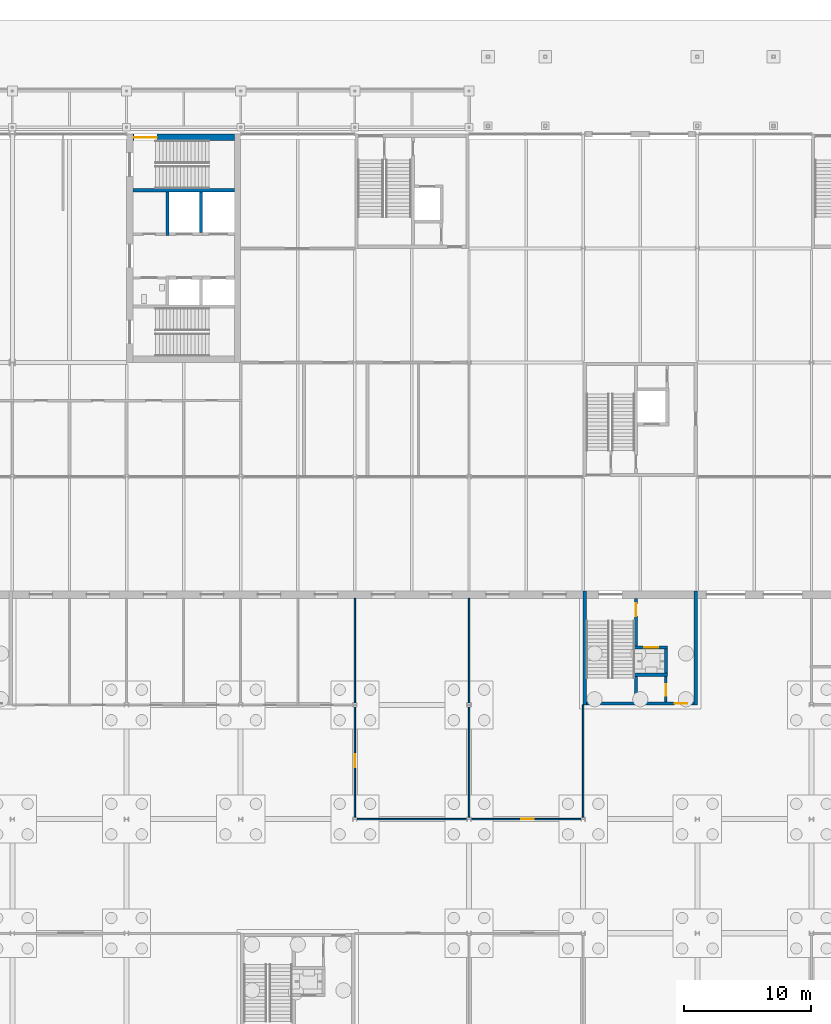
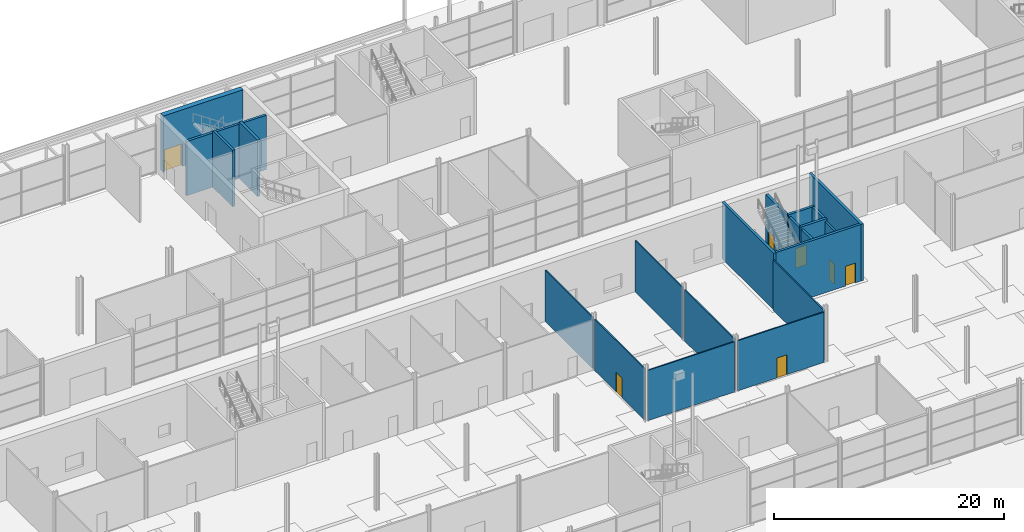
# One storey, part 69 of 97: 19 walls, 7 doors, 7 openings.
"""IFC4 building model written with IfcOpenShell, lengths in metres."""

from ifc_helpers import new_model, si_unit, direction, frame, frame_2d, origin, place, context, subcontext, project, spatial, rectangle, extrude, material, layer, layer_set, type_object, element, fill, save


model = new_model("IFC4")

# Units and contexts
model_context = context("Model", 3, precision=1e-05, world=origin(), true_north=direction((0.0, 1.0)))
body_context = subcontext(model_context, "Body", "Model", "MODEL_VIEW")
ifc_project = project(units=[si_unit("LENGTHUNIT", "METRE"), si_unit("AREAUNIT", "SQUARE_METRE"), si_unit("VOLUMEUNIT", "CUBIC_METRE"), si_unit("PLANEANGLEUNIT", "RADIAN"), si_unit("MASSUNIT", "GRAM", prefix="KILO")], contexts=[model_context])

# Site, building, storey
site_placement = place(None, origin())
site = spatial("IfcSite", under=ifc_project, at=site_placement, CompositionType="ELEMENT")
building_placement = place(site_placement, origin())
building = spatial("IfcBuilding", under=site, at=building_placement, Name="Corbel Yard City Hall", CompositionType="ELEMENT")
storey_placement = place(building_placement, origin())
storey = spatial("IfcBuildingStorey", under=building, at=storey_placement, Name="L00", CompositionType="ELEMENT", Elevation=0.0)

# Walls
ifc_material_1 = material(Name="Concrete N50 (50 MPa)", Category="concrete")
ifc_layer_1 = layer(ifc_material_1, 0.25)
ifc_layer_set_1 = layer_set([ifc_layer_1], Name="Concrete N50 (50 MPa)")
wall_type_1 = type_object("IfcWallType", Name="Core cell wall 250", PredefinedType="SHEAR", material=ifc_layer_set_1)
for number, where, z_axis, x_axis, name in (
    (1, (81.125, 72.0, 0.0), (0.0, 0.0, 1.0), (0.0, 1.0, 0.0), "Core PC-M7 west wall"),
    (2, (89.875, 72.0, 0.0), (0.0, 0.0, 1.0), (0.0, 1.0, 0.0), "Core PC-M7 east wall"),
):
    element("IfcWall", number, at=place(storey_placement, frame(where, z_axis=z_axis, x_axis=x_axis)), inside=storey, type_object=wall_type_1, Name=name, PredefinedType="SHEAR", context=body_context, shape_type="SweptSolid", body=[
        extrude(rectangle(XDim=9.0, YDim=0.25, at=frame_2d((4.5, 0.0))), origin(), (0.0, 0.0, 1.0), 6.0),
    ])

# Wall, opening, door
wall_1_placement = place(storey_placement, frame((81.25, 72.125, 0.0), z_axis=(0.0, 0.0, 1.0), x_axis=(1.0, 0.0, 0.0)))
wall_1 = element("IfcWall", 3, at=wall_1_placement, inside=storey, type_object=wall_type_1, Name="Core PC-M7 south wall", PredefinedType="SHEAR", context=body_context, shape_type="SweptSolid", body=[
    extrude(rectangle(XDim=8.5, YDim=0.25, at=frame_2d((4.25, 0.0))), origin(), (0.0, 0.0, 1.0), 6.0),
])
opening_1_placement = place(wall_1_placement, frame((6.949951171875, 0.0, 0.0)))
opening_1 = element("IfcOpeningElement", 4, at=opening_1_placement, cuts=wall_1, Name="Opening L00-147", PredefinedType="OPENING", context=body_context, shape_type="SweptSolid", body=[
    extrude(rectangle(XDim=1.0, YDim=2.10009765625, at=frame_2d((0.5, 1.050048828125))), frame((0.0, 0.135009765625, 0.0), z_axis=(0.0, -1.0, 0.0), x_axis=(1.0, 0.0, 0.0)), (0.0, 0.0, 1.0), 0.27001953125),
])
ifc_material_2 = material(Name="Steel Grade G250", Category="steel")
door_type_1 = type_object("IfcDoorType", Name="FS1", OperationType="SINGLE_SWING_LEFT", PredefinedType="DOOR", material=ifc_material_2)
door_1_placement = place(opening_1_placement, origin())
door_1 = element("IfcDoor", 5, at=door_1_placement, inside=storey, type_object=door_type_1, Name="Door Lift Lobby", OperationType="SINGLE_SWING_LEFT", OverallHeight=2.10009765625, OverallWidth=1.0, PredefinedType="DOOR", context=body_context, shape_type="SweptSolid", body=[
    extrude(rectangle(XDim=1.0, YDim=2.10009765625, at=frame_2d((0.5, 1.050048828125))), frame((0.0, 0.02490234375, 0.0), z_axis=(0.0, -1.0, 0.0), x_axis=(1.0, 0.0, 0.0)), (0.0, 0.0, 1.0), 0.050048828125),
])
fill(opening_1, door_1)

ifc_material_3 = material(Name="Concrete N40 (40 MPa)", Category="concrete")
ifc_layer_2 = layer(ifc_material_3, 0.25)
ifc_layer_set_2 = layer_set([ifc_layer_2], Name="Concrete N40 (40 MPa)")
wall_type_2 = type_object("IfcWallType", Name="IW2", PredefinedType="SOLIDWALL", material=ifc_layer_set_2)
wall_2_placement = place(storey_placement, frame((85.175048828125, 80.39990234375, 0.0), z_axis=(0.0, 0.0, 1.0), x_axis=(0.0, -1.0, 0.0)))
wall_2 = element("IfcWall", 6, at=wall_2_placement, inside=storey, type_object=wall_type_2, Name="Stair enclosure wall", PredefinedType="SOLIDWALL", context=body_context, shape_type="SweptSolid", body=[
    extrude(rectangle(XDim=8.14990234375, YDim=0.25, at=frame_2d((4.074951171875, 0.0))), origin(), (0.0, 0.0, 1.0), 5.75),
])
opening_2_placement = place(wall_2_placement, frame((0.39990234375, 0.0, 0.0)))
opening_2 = element("IfcOpeningElement", 7, at=opening_2_placement, cuts=wall_2, Name="Opening L00-146", PredefinedType="OPENING", context=body_context, shape_type="SweptSolid", body=[
    extrude(rectangle(XDim=1.0, YDim=2.10009765625, at=frame_2d((0.5, 1.050048828125))), frame((0.0, 0.135009765625, 0.0), z_axis=(0.0, -1.0, 0.0), x_axis=(1.0, 0.0, 0.0)), (0.0, 0.0, 1.0), 0.27001953125),
])
door_2_placement = place(opening_2_placement, frame((1.0, 0.0, 0.0), z_axis=(0.0, 0.0, 1.0), x_axis=(-1.0, 0.0, 0.0)))
door_2 = element("IfcDoor", 8, at=door_2_placement, inside=storey, type_object=door_type_1, Name="Door Exit Stair 14", OperationType="SINGLE_SWING_RIGHT", OverallHeight=2.10009765625, OverallWidth=1.0, PredefinedType="DOOR", context=body_context, shape_type="SweptSolid", body=[
    extrude(rectangle(XDim=1.0, YDim=2.10009765625, at=frame_2d((0.5, 1.050048828125))), frame((0.0, 0.02490234375, 0.0), z_axis=(0.0, -1.0, 0.0), x_axis=(1.0, 0.0, 0.0)), (0.0, 0.0, 1.0), 0.050048828125),
])
fill(opening_2, door_2)

# Wall
wall_3_placement = place(storey_placement, frame((85.050048828125, 74.375, -1.39990234375), z_axis=(0.0, 0.0, 1.0), x_axis=(1.0, 0.0, 0.0)))
element("IfcWall", 9, at=wall_3_placement, inside=storey, type_object=wall_type_2, Name="Lift LP14 shaft wall", PredefinedType="SOLIDWALL", context=body_context, shape_type="SweptSolid", body=[
    extrude(rectangle(XDim=2.599853515625, YDim=0.25, at=frame_2d((1.2998046875, 0.0))), origin(), (0.0, 0.0, 1.0), 7.39990234375),
])

# Wall, opening, door
wall_4_placement = place(storey_placement, frame((85.050048828125, 76.52490234375, -1.39990234375), z_axis=(0.0, 0.0, 1.0), x_axis=(1.0, 0.0, 0.0)))
wall_4 = element("IfcWall", 10, at=wall_4_placement, inside=storey, type_object=wall_type_2, Name="Lift LP14 shaft wall", PredefinedType="SOLIDWALL", context=body_context, shape_type="SweptSolid", body=[
    extrude(rectangle(XDim=2.599853515625, YDim=0.25, at=frame_2d((1.2998046875, 0.0))), origin(), (0.0, 0.0, 1.0), 7.39990234375),
])
opening_3_placement = place(wall_4_placement, frame((0.75, 0.0, 1.39990234375)))
opening_3 = element("IfcOpeningElement", 11, at=opening_3_placement, cuts=wall_4, Name="Opening L00-113", PredefinedType="OPENING", context=body_context, shape_type="SweptSolid", body=[
    extrude(rectangle(XDim=1.10009765625, YDim=2.10009765625, at=frame_2d((0.550048828125, 1.050048828125))), frame((0.0, 0.135009765625, 0.0), z_axis=(0.0, -1.0, 0.0), x_axis=(1.0, 0.0, 0.0)), (0.0, 0.0, 1.0), 0.27001953125),
])
ifc_material_4 = material(Name="Stainless steel Grade 316", Category="steel")
door_type_2 = type_object("IfcDoorType", Name="LD1", OperationType="DOUBLE_DOOR_SLIDING", PredefinedType="DOOR", material=ifc_material_4)
door_3_placement = place(opening_3_placement, origin())
door_3 = element("IfcDoor", 12, at=door_3_placement, inside=storey, type_object=door_type_2, Name="Lift LP14 landing door", OperationType="DOUBLE_DOOR_SLIDING", OverallHeight=2.10009765625, OverallWidth=1.10009765625, PredefinedType="DOOR", context=body_context, shape_type="SweptSolid", body=[
    extrude(rectangle(XDim=1.10009765625, YDim=2.10009765625, at=frame_2d((0.550048828125, 1.050048828125))), frame((0.0, 0.02490234375, 0.0), z_axis=(0.0, -1.0, 0.0), x_axis=(1.0, 0.0, 0.0)), (0.0, 0.0, 1.0), 0.050048828125),
])
fill(opening_3, door_3)

# Walls
wall_5_placement = place(storey_placement, frame((87.52490234375, 74.5, -1.39990234375), z_axis=(0.0, 0.0, 1.0), x_axis=(0.0, 1.0, 0.0)))
element("IfcWall", 13, at=wall_5_placement, inside=storey, type_object=wall_type_2, Name="Lift LP14 shaft wall", PredefinedType="SOLIDWALL", context=body_context, shape_type="SweptSolid", body=[
    extrude(rectangle(XDim=1.89990234375, YDim=0.25, at=frame_2d((0.949951171875, 0.0))), origin(), (0.0, 0.0, 1.0), 7.39990234375),
])
wall_6_placement = place(storey_placement, frame((45.5, 112.574951171875, 0.0), z_axis=(0.0, 0.0, 1.0), x_axis=(1.0, 0.0, 0.0)))
element("IfcWall", 14, at=wall_6_placement, inside=storey, type_object=wall_type_2, Name="Stair enclosure wall", PredefinedType="SOLIDWALL", context=body_context, shape_type="SweptSolid", body=[
    extrude(rectangle(XDim=8.0, YDim=0.25, at=frame_2d((4.0, 0.0))), origin(), (0.0, 0.0, 1.0), 5.75),
])
wall_7_placement = place(storey_placement, frame((48.22509765625, 109.0, 0.0), z_axis=(0.0, 0.0, 1.0), x_axis=(0.0, 1.0, 0.0)))
element("IfcWall", 15, at=wall_7_placement, inside=storey, type_object=wall_type_2, Name="Lift LF2 shaft wall", PredefinedType="SOLIDWALL", context=body_context, shape_type="SweptSolid", body=[
    extrude(rectangle(XDim=3.449951171875, YDim=0.25, at=frame_2d((1.72509765625, 0.0))), origin(), (0.0, 0.0, 1.0), 6.0),
])
wall_8_placement = place(storey_placement, frame((50.875, 109.25, 0.0), z_axis=(0.0, 0.0, 1.0), x_axis=(0.0, 1.0, 0.0)))
element("IfcWall", 16, at=wall_8_placement, inside=storey, type_object=wall_type_2, Name="Lift LF2 shaft wall", PredefinedType="SOLIDWALL", context=body_context, shape_type="SweptSolid", body=[
    extrude(rectangle(XDim=3.199951171875, YDim=0.25, at=frame_2d((1.60009765625, 0.0))), origin(), (0.0, 0.0, 1.0), 6.0),
])
ifc_material_5 = material(Name="Gypsum plasterboard", Category="gypsum")
ifc_layer_3 = layer(ifc_material_5, 0.028076171875)
ifc_material_6 = material(Name="Steel Grade G550 (550 MPa yield)", Category="steel")
ifc_layer_4 = layer(ifc_material_6, 0.06396484375)
ifc_layer_5 = layer(ifc_material_5, 0.028076171875)
ifc_layer_set_3 = layer_set([ifc_layer_3, ifc_layer_4, ifc_layer_5], Name="Steel Grade G550 (550 MPa yield)")
wall_type_3 = type_object("IfcWallType", Name="PT1", PredefinedType="PARTITIONING", material=ifc_layer_set_3)
wall_9_placement = place(storey_placement, frame((63.16357421875, 63.0, 0.0), z_axis=(0.0, 0.0, 1.0), x_axis=(1.0, 0.0, 0.0)))
element("IfcWall", 17, at=wall_9_placement, inside=storey, type_object=wall_type_3, Name="Partition", PredefinedType="PARTITIONING", context=body_context, shape_type="SweptSolid", body=[
    extrude(rectangle(XDim=8.6728515625, YDim=0.1201171875, at=frame_2d((4.33642578125, 0.0))), origin(), (0.0, 0.0, 1.0), 5.322021484375),
])

# Wall, opening, door
wall_10_placement = place(storey_placement, frame((72.16357421875, 63.0, 0.0), z_axis=(0.0, 0.0, 1.0), x_axis=(1.0, 0.0, 0.0)))
wall_10 = element("IfcWall", 18, at=wall_10_placement, inside=storey, type_object=wall_type_3, Name="Partition", PredefinedType="PARTITIONING", context=body_context, shape_type="SweptSolid", body=[
    extrude(rectangle(XDim=8.6728515625, YDim=0.1201171875, at=frame_2d((4.33642578125, 0.0))), origin(), (0.0, 0.0, 1.0), 5.322021484375),
])
opening_4_placement = place(wall_10_placement, frame((3.9365234375, 0.0, 0.0)))
opening_4 = element("IfcOpeningElement", 19, at=opening_4_placement, cuts=wall_10, Name="Opening L00-137", PredefinedType="OPENING", context=body_context, shape_type="SweptSolid", body=[
    extrude(rectangle(XDim=1.0, YDim=2.10009765625, at=frame_2d((0.5, 1.050048828125))), frame((0.0, 0.070068359375, 0.0), z_axis=(0.0, -1.0, 0.0), x_axis=(1.0, 0.0, 0.0)), (0.0, 0.0, 1.0), 0.14013671875),
])
ifc_material_7 = material(Name="Timber", Category="wood")
door_type_3 = type_object("IfcDoorType", Name="D1", OperationType="SINGLE_SWING_LEFT", PredefinedType="DOOR", material=ifc_material_7)
door_4_placement = place(opening_4_placement, origin())
door_4 = element("IfcDoor", 20, at=door_4_placement, inside=storey, type_object=door_type_3, Name="Door Records and Processing Office", OperationType="SINGLE_SWING_RIGHT", OverallHeight=2.10009765625, OverallWidth=1.0, PredefinedType="DOOR", context=body_context, shape_type="SweptSolid", body=[
    extrude(rectangle(XDim=1.0, YDim=2.10009765625, at=frame_2d((0.5, 1.050048828125))), frame((0.0, 0.02490234375, 0.0), z_axis=(0.0, -1.0, 0.0), x_axis=(1.0, 0.0, 0.0)), (0.0, 0.0, 1.0), 0.050048828125),
])
fill(opening_4, door_4)

wall_11_placement = place(storey_placement, frame((63.0, 63.16357421875, 0.0), z_axis=(0.0, 0.0, 1.0), x_axis=(0.0, 1.0, 0.0)))
wall_11 = element("IfcWall", 21, at=wall_11_placement, inside=storey, type_object=wall_type_3, Name="Partition", PredefinedType="PARTITIONING", context=body_context, shape_type="SweptSolid", body=[
    extrude(rectangle(XDim=8.6728515625, YDim=0.1201171875, at=frame_2d((4.33642578125, 0.0))), origin(), (0.0, 0.0, 1.0), 5.447021484375),
])
opening_5_placement = place(wall_11_placement, frame((3.9365234375, 0.0, 0.0)))
opening_5 = element("IfcOpeningElement", 22, at=opening_5_placement, cuts=wall_11, Name="Opening L00-136", PredefinedType="OPENING", context=body_context, shape_type="SweptSolid", body=[
    extrude(rectangle(XDim=1.0, YDim=2.10009765625, at=frame_2d((0.5, 1.050048828125))), frame((0.0, 0.070068359375, 0.0), z_axis=(0.0, -1.0, 0.0), x_axis=(1.0, 0.0, 0.0)), (0.0, 0.0, 1.0), 0.14013671875),
])
door_5_placement = place(opening_5_placement, frame((1.0, 0.0, 0.0), z_axis=(0.0, 0.0, 1.0), x_axis=(-1.0, 0.0, 0.0)))
door_5 = element("IfcDoor", 23, at=door_5_placement, inside=storey, type_object=door_type_3, Name="Door Customer Services Back Office", OperationType="SINGLE_SWING_RIGHT", OverallHeight=2.10009765625, OverallWidth=1.0, PredefinedType="DOOR", context=body_context, shape_type="SweptSolid", body=[
    extrude(rectangle(XDim=1.0, YDim=2.10009765625, at=frame_2d((0.5, 1.050048828125))), frame((0.0, 0.02490234375, 0.0), z_axis=(0.0, -1.0, 0.0), x_axis=(1.0, 0.0, 0.0)), (0.0, 0.0, 1.0), 0.050048828125),
])
fill(opening_5, door_5)

# Walls
wall_12_placement = place(storey_placement, frame((63.0, 72.16357421875, 0.0), z_axis=(0.0, 0.0, 1.0), x_axis=(0.0, 1.0, 0.0)))
element("IfcWall", 24, at=wall_12_placement, inside=storey, type_object=wall_type_3, Name="Partition", PredefinedType="PARTITIONING", context=body_context, shape_type="SweptSolid", body=[
    extrude(rectangle(XDim=8.236328125, YDim=0.1201171875, at=frame_2d((4.1181640625, 0.0))), origin(), (0.0, 0.0, 1.0), 5.447021484375),
])
wall_13_placement = place(storey_placement, frame((72.0, 63.16357421875, 0.0), z_axis=(0.0, 0.0, 1.0), x_axis=(0.0, 1.0, 0.0)))
element("IfcWall", 25, at=wall_13_placement, inside=storey, type_object=wall_type_3, Name="Partition", PredefinedType="PARTITIONING", context=body_context, shape_type="SweptSolid", body=[
    extrude(rectangle(XDim=8.6728515625, YDim=0.1201171875, at=frame_2d((4.33642578125, 0.0))), origin(), (0.0, 0.0, 1.0), 5.447021484375),
])
wall_14_placement = place(storey_placement, frame((72.0, 72.16357421875, 0.0), z_axis=(0.0, 0.0, 1.0), x_axis=(0.0, 1.0, 0.0)))
element("IfcWall", 26, at=wall_14_placement, inside=storey, type_object=wall_type_3, Name="Partition", PredefinedType="PARTITIONING", context=body_context, shape_type="SweptSolid", body=[
    extrude(rectangle(XDim=8.236328125, YDim=0.1201171875, at=frame_2d((4.1181640625, 0.0))), origin(), (0.0, 0.0, 1.0), 5.447021484375),
])
wall_15_placement = place(storey_placement, frame((81.0, 63.16357421875, 0.0), z_axis=(0.0, 0.0, 1.0), x_axis=(0.0, 1.0, 0.0)))
element("IfcWall", 27, at=wall_15_placement, inside=storey, type_object=wall_type_3, Name="Partition", PredefinedType="PARTITIONING", context=body_context, shape_type="SweptSolid", body=[
    extrude(rectangle(XDim=8.83642578125, YDim=0.1201171875, at=frame_2d((4.418212890625, 0.0))), origin(), (0.0, 0.0, 1.0), 5.322021484375),
])

# Wall, opening, door
ifc_material_8 = material(Name="Concrete block", Category="concrete")
ifc_layer_6 = layer(ifc_material_8, 0.18994140625)
ifc_layer_set_4 = layer_set([ifc_layer_6], Name="Concrete block")
wall_type_4 = type_object("IfcWallType", Name="PT4", PredefinedType="PARTITIONING", material=ifc_layer_set_4)
wall_16_placement = place(storey_placement, frame((87.52490234375, 72.25, 0.0), z_axis=(0.0, 0.0, 1.0), x_axis=(0.0, 1.0, 0.0)))
wall_16 = element("IfcWall", 28, at=wall_16_placement, inside=storey, type_object=wall_type_4, Name="Fire-resisting block wall", PredefinedType="PARTITIONING", context=body_context, shape_type="SweptSolid", body=[
    extrude(rectangle(XDim=2.0, YDim=0.18994140625, at=frame_2d((1.0, 0.0))), origin(), (0.0, 0.0, 1.0), 5.75),
])
opening_6_placement = place(wall_16_placement, frame((0.4775390625, 0.0, 0.0)))
opening_6 = element("IfcOpeningElement", 29, at=opening_6_placement, cuts=wall_16, Name="Opening L00-148", PredefinedType="OPENING", context=body_context, shape_type="SweptSolid", body=[
    extrude(rectangle(XDim=0.919921875, YDim=2.10009765625, at=frame_2d((0.4599609375, 1.050048828125))), frame((0.0, 0.10498046875, 0.0), z_axis=(0.0, -1.0, 0.0), x_axis=(1.0, 0.0, 0.0)), (0.0, 0.0, 1.0), 0.2099609375),
])
door_type_4 = type_object("IfcDoorType", Name="FS5", OperationType="SINGLE_SWING_RIGHT", PredefinedType="DOOR", material=ifc_material_2)
door_6_placement = place(opening_6_placement, origin())
door_6 = element("IfcDoor", 30, at=door_6_placement, inside=storey, type_object=door_type_4, Name="Door Service Riser", OperationType="SINGLE_SWING_LEFT", OverallHeight=2.10009765625, OverallWidth=0.919921875, PredefinedType="DOOR", context=body_context, shape_type="SweptSolid", body=[
    extrude(rectangle(XDim=0.919921875, YDim=2.10009765625, at=frame_2d((0.4599609375, 1.050048828125))), frame((0.0, 0.02490234375, 0.0), z_axis=(0.0, -1.0, 0.0), x_axis=(1.0, 0.0, 0.0)), (0.0, 0.0, 1.0), 0.050048828125),
])
fill(opening_6, door_6)

ifc_layer_7 = layer(ifc_material_1, 0.5)
ifc_layer_set_5 = layer_set([ifc_layer_7], Name="Concrete N50 (50 MPa)")
wall_type_5 = type_object("IfcWallType", Name="Trunk wall 500", PredefinedType="SHEAR", material=ifc_layer_set_5)
wall_17_placement = place(storey_placement, frame((45.5, 116.75, 0.0), z_axis=(0.0, 0.0, 1.0), x_axis=(1.0, 0.0, 0.0)))
wall_17 = element("IfcWall", 31, at=wall_17_placement, inside=storey, type_object=wall_type_5, Name="Trunk E north wall", PredefinedType="SHEAR", context=body_context, shape_type="SweptSolid", body=[
    extrude(rectangle(XDim=8.0, YDim=0.5, at=frame_2d((4.0, 0.0))), origin(), (0.0, 0.0, 1.0), 6.0),
])
opening_7_placement = place(wall_17_placement, frame((0.10009765625, 0.0, 0.0)))
opening_7 = element("IfcOpeningElement", 32, at=opening_7_placement, cuts=wall_17, Name="Opening L00-052", PredefinedType="OPENING", context=body_context, shape_type="SweptSolid", body=[
    extrude(rectangle(XDim=1.800048828125, YDim=2.39990234375, at=frame_2d((0.89990234375, 1.199951171875))), frame((0.0, 0.260009765625, 0.0), z_axis=(0.0, -1.0, 0.0), x_axis=(1.0, 0.0, 0.0)), (0.0, 0.0, 1.0), 0.52001953125),
])
ifc_material_9 = material(Name="Steel Grade G250, insulated infill", Category="steel")
door_type_5 = type_object("IfcDoorType", Name="XD2", OperationType="DOUBLE_DOOR_SINGLE_SWING", PredefinedType="DOOR", material=ifc_material_9)
door_7_placement = place(opening_7_placement, origin())
door_7 = element("IfcDoor", 33, at=door_7_placement, inside=storey, type_object=door_type_5, Name="Stair exit door TRUNK-E", OperationType="DOUBLE_DOOR_SINGLE_SWING", OverallHeight=2.39990234375, OverallWidth=1.800048828125, PredefinedType="DOOR", context=body_context, shape_type="SweptSolid", body=[
    extrude(rectangle(XDim=1.800048828125, YDim=2.39990234375, at=frame_2d((0.89990234375, 1.199951171875))), frame((0.0, 0.02490234375, 0.0), z_axis=(0.0, -1.0, 0.0), x_axis=(1.0, 0.0, 0.0)), (0.0, 0.0, 1.0), 0.050048828125),
])
fill(opening_7, door_7)

save(model, "model.ifc")
